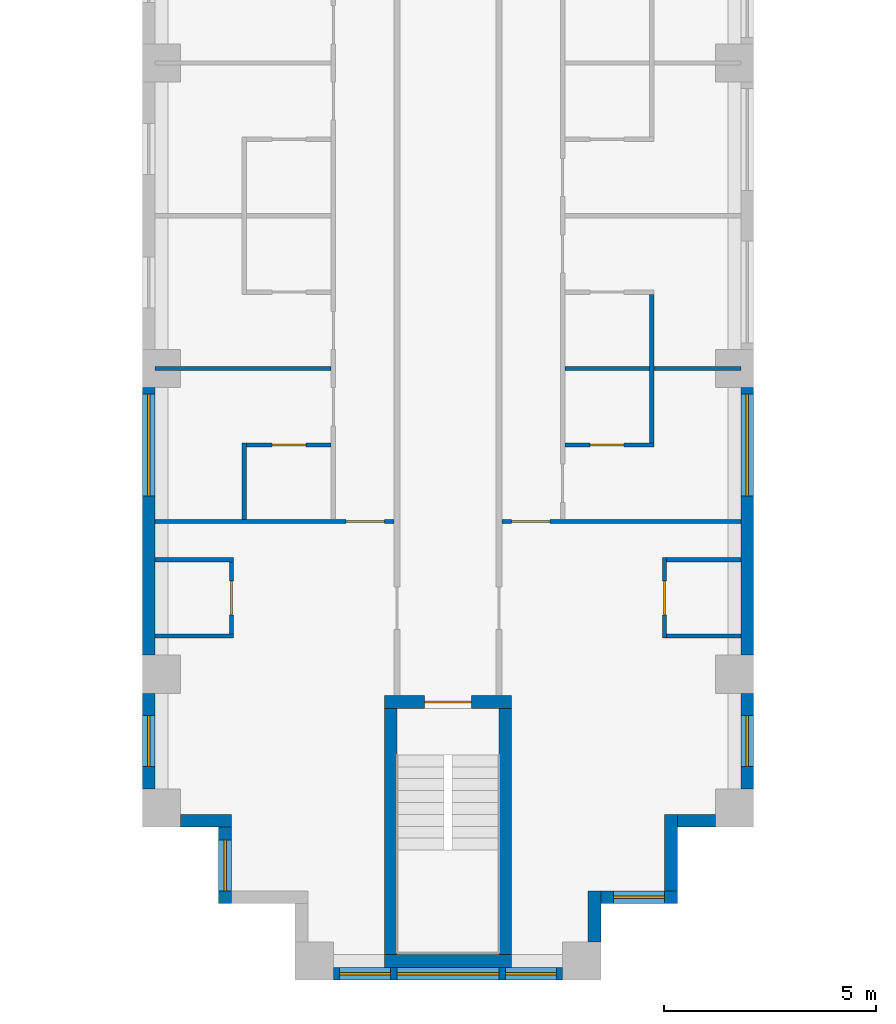
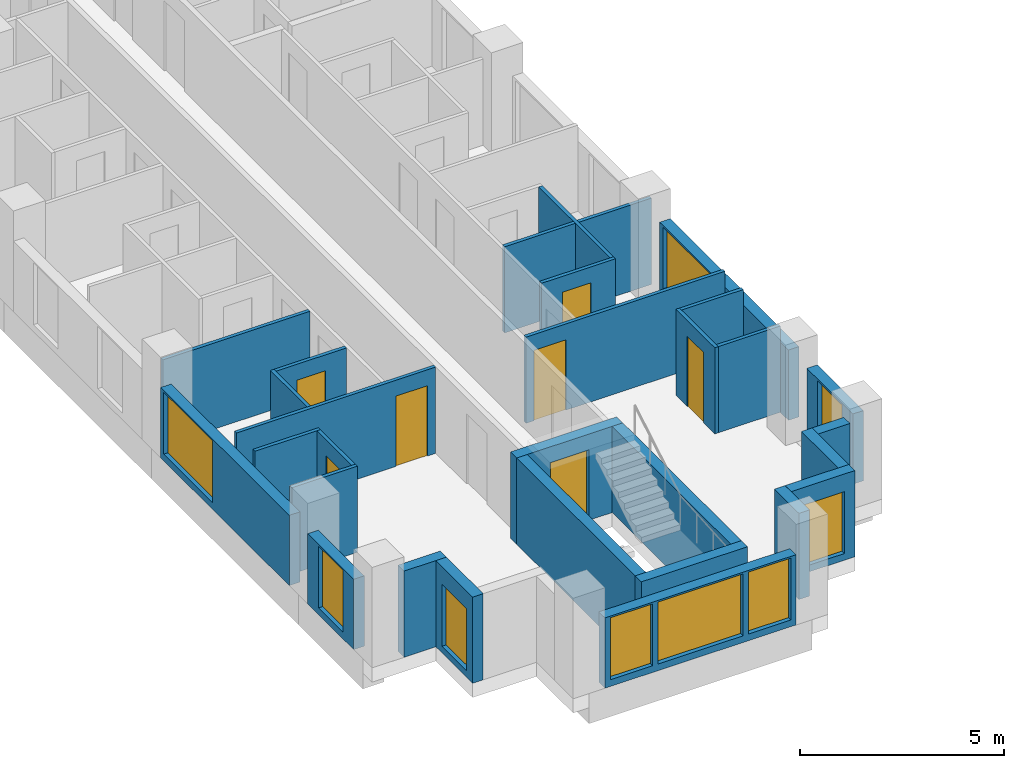
# One storey, part 3 of 14: 29 walls, 9 windows, 7 doors, 16 openings.
"""IFC4 building model written with IfcOpenShell, lengths in metres."""

import ifcopenshell
import ifcopenshell.guid

model = None  # the IFC model being written
_history = None  # IfcOwnerHistory: only IFC2X3 demands one
_inside = {}  # id of a spatial element -> (the spatial element, [elements in it])
_under = {}  # id of a project, library or spatial element -> (it, [spatial elements below it])
_declared = {}  # id of a project -> (the project, [libraries it declares])
_typed = {}  # id of a type object -> (the type object, [elements of that type])
_made_of = {}  # id of a material, layer set ... -> (it, [elements and type objects made of it])


def new_model(schema):
    """Start an empty IFC model of exactly this schema.

    Asked for "IFC4X3", IfcOpenShell would pick the latest addendum, in which some entities
    have other attributes; the version numbers below select the first issue.
    IFC2X3 requires an IfcOwnerHistory on every rooted entity: one is made here for all.
    """
    global model, _history
    if schema == "IFC4X3":
        model = ifcopenshell.file(schema_version=(4, 3, 0, 0))
    else:
        model = ifcopenshell.file(schema=schema)
    _inside.clear()
    _under.clear()
    _declared.clear()
    _typed.clear()
    _made_of.clear()
    _history = None
    if model.schema == "IFC2X3":
        org = make("IfcOrganization", Name="unknown")
        user = make(
            "IfcPersonAndOrganization",
            ThePerson=make("IfcPerson", FamilyName="unknown"),
            TheOrganization=org,
        )
        app = make(
            "IfcApplication",
            ApplicationDeveloper=org,
            Version="unknown",
            ApplicationFullName="unknown",
            ApplicationIdentifier="unknown",
        )
        _history = make(
            "IfcOwnerHistory",
            OwningUser=user,
            OwningApplication=app,
            ChangeAction="ADDED",
            CreationDate=0,
        )
    return model


def make(cls, **values):
    """One entity of the class cls with the attributes given. An attribute that is None is left unset."""
    return model.create_entity(
        cls, **{name: value for name, value in values.items() if value is not None}
    )


def rooted(cls, **values):
    """An entity with a GlobalId (a new one), such as an element, a storey or a relation."""
    return make(cls, GlobalId=ifcopenshell.guid.new(), OwnerHistory=_history, **values)


def si_unit(unit_type, name, prefix=None):
    """IfcSIUnit, for example si_unit("LENGTHUNIT", "METRE", prefix="MILLI")."""
    return make("IfcSIUnit", UnitType=unit_type, Prefix=prefix, Name=name)


def assignment(units):
    """IfcUnitAssignment: the units of a project."""
    return None if units is None else make("IfcUnitAssignment", Units=units)


def point(xyz):
    """IfcCartesianPoint."""
    return None if xyz is None else make("IfcCartesianPoint", Coordinates=xyz)


def direction(xyz):
    """IfcDirection."""
    return None if xyz is None else make("IfcDirection", DirectionRatios=xyz)


def frame(location, z_axis=None, x_axis=None):
    """IfcAxis2Placement3D, a coordinate frame: its origin and axes. An axis left out is left unset."""
    return make(
        "IfcAxis2Placement3D",
        Location=point(location),
        Axis=direction(z_axis),
        RefDirection=direction(x_axis),
    )


def frame_2d(location, x_axis=None):
    """IfcAxis2Placement2D, a coordinate frame in the plane: its origin and x axis."""
    return make(
        "IfcAxis2Placement2D", Location=point(location), RefDirection=direction(x_axis)
    )


def origin():
    """The frame at (0, 0, 0) with its axes left unset."""
    return frame((0.0, 0.0, 0.0))


def place(relative_to, where):
    """IfcLocalPlacement: puts the frame where relative to a parent placement (None: the world)."""
    return make(
        "IfcLocalPlacement", PlacementRelTo=relative_to, RelativePlacement=where
    )


def context(
    kind, dimensions, precision=None, world=None, true_north=None, identifier=None
):
    """IfcGeometricRepresentationContext, for example the 3D "Model" context."""
    return make(
        "IfcGeometricRepresentationContext",
        ContextIdentifier=identifier,
        ContextType=kind,
        CoordinateSpaceDimension=dimensions,
        Precision=precision,
        WorldCoordinateSystem=world,
        TrueNorth=true_north,
    )


def subcontext(parent, identifier, kind, view, scale=None):
    """IfcGeometricRepresentationSubContext, for example "Body" below "Model"."""
    return make(
        "IfcGeometricRepresentationSubContext",
        ContextIdentifier=identifier,
        ContextType=kind,
        ParentContext=parent,
        TargetScale=scale,
        TargetView=view,
    )


def project(units=None, contexts=None):
    """IfcProject with its units and contexts."""
    return rooted(
        "IfcProject",
        Name="project",
        RepresentationContexts=contexts,
        UnitsInContext=assignment(units),
    )


def spatial(cls, under=None, at=None, **own):
    """A site, building, storey or space (cls), placed at a placement, below another one or the project."""
    s = rooted(cls, ObjectPlacement=at, **own)
    if under is not None:
        _under.setdefault(under.id(), (under, []))[1].append(s)
    return s


def profile(cls, at=None, kind="AREA", **sizes):
    """A parametric profile (cls). Its sizes go by their IFC names, for example OverallWidth=200.0."""
    return make(cls, ProfileType=kind, Position=at, **sizes)


def rectangle(**sizes):
    """IfcRectangleProfileDef."""
    return profile("IfcRectangleProfileDef", **sizes)


def extrude(swept, where, along, depth):
    """IfcExtrudedAreaSolid: the profile swept, set in the frame where, extruded along a direction by depth."""
    return make(
        "IfcExtrudedAreaSolid",
        SweptArea=swept,
        Position=where,
        ExtrudedDirection=direction(along),
        Depth=depth,
    )


def shape(context_of_items, identifier, shape_type, items):
    """IfcShapeRepresentation: the items that make up one representation, for example the "Body"."""
    return make(
        "IfcShapeRepresentation",
        ContextOfItems=context_of_items,
        RepresentationIdentifier=identifier,
        RepresentationType=shape_type,
        Items=items,
    )


def material(Name=None, Category=None):
    """IfcMaterial."""
    return make("IfcMaterial", Name=Name, Category=Category)


def layer(
    of_material, thickness, ventilated=None, Name=None, Category=None, Priority=None
):
    """IfcMaterialLayer: one layer of a wall or slab, of a material (None: an air gap)."""
    return make(
        "IfcMaterialLayer",
        Material=of_material,
        LayerThickness=thickness,
        IsVentilated=ventilated,
        Name=Name,
        Category=Category,
        Priority=Priority,
    )


def layer_set(layers, Name=None):
    """IfcMaterialLayerSet."""
    return make("IfcMaterialLayerSet", MaterialLayers=layers, LayerSetName=Name)


def made_of(thing, what):
    """Note that an element or type object is made of a material, layer set ...; save() writes the relation."""
    if what is not None:
        _made_of.setdefault(what.id(), (what, []))[1].append(thing)
    return thing


def type_object(cls, material=None, **own):
    """A type object (cls), such as IfcWallType, which elements share."""
    return made_of(rooted(cls, **own), material)


def element(
    cls,
    number,
    at=None,
    inside=None,
    cuts=None,
    type_object=None,
    material=None,
    context=None,
    identifier="Body",
    shape_type=None,
    held_by="IfcProductDefinitionShape",
    body=None,
    shapes=None,
    **own,
):
    """One element of the class cls, such as IfcWall. Its Tag is "e" and its number.

    at: its placement. inside: the storey or other place that contains it. cuts: it is an
    opening in that element (IfcRelVoidsElement). A single representation is given by context,
    identifier, shape_type and body (its items); several are given by shapes. held_by: the class
    of the entity that holds the representations. save() writes the other relations.
    """
    e = rooted(cls, Tag="e%d" % number, ObjectPlacement=at, **own)
    if body is not None:
        shapes = [shape(context, identifier, shape_type, body)]
    if shapes is not None:
        e.Representation = make(held_by, Representations=shapes)
    if inside is not None:
        _inside.setdefault(inside.id(), (inside, []))[1].append(e)
    if cuts is not None:
        rooted(
            "IfcRelVoidsElement", RelatingBuildingElement=cuts, RelatedOpeningElement=e
        )
    if type_object is not None:
        _typed.setdefault(type_object.id(), (type_object, []))[1].append(e)
    return made_of(e, material)


def fill(opening, filler):
    """IfcRelFillsElement: the door or window that sits in an opening."""
    return rooted(
        "IfcRelFillsElement",
        RelatingOpeningElement=opening,
        RelatedBuildingElement=filler,
    )


def aggregate(whole, parts):
    """IfcRelAggregates: a whole, such as a stair, and the parts it consists of."""
    return rooted("IfcRelAggregates", RelatingObject=whole, RelatedObjects=parts)


def save(model, path):
    """Write the relations noted so far, then the file.

    IfcRelAggregates (storeys below a building ...), IfcRelContainedInSpatialStructure (elements
    in a storey), IfcRelDefinesByType, IfcRelAssociatesMaterial and IfcRelDeclares: one each for
    every whole, place, type object, material and project.
    """
    for whole, parts in _under.values():
        aggregate(whole, parts)
    for where, things in _inside.values():
        rooted(
            "IfcRelContainedInSpatialStructure",
            RelatedElements=things,
            RelatingStructure=where,
        )
    for kind, things in _typed.values():
        rooted("IfcRelDefinesByType", RelatedObjects=things, RelatingType=kind)
    for what, things in _made_of.values():
        rooted("IfcRelAssociatesMaterial", RelatedObjects=things, RelatingMaterial=what)
    for by, libraries in _declared.values():
        rooted("IfcRelDeclares", RelatingContext=by, RelatedDefinitions=libraries)
    model.write(path)


model = new_model("IFC4")

# Units and contexts
model_context = context("Model", 3, precision=1e-05, world=origin(), true_north=direction((0.0, 1.0)))
body_context = subcontext(model_context, "Body", "Model", "MODEL_VIEW")
ifc_project = project(units=[si_unit("LENGTHUNIT", "METRE"), si_unit("AREAUNIT", "SQUARE_METRE"), si_unit("VOLUMEUNIT", "CUBIC_METRE"), si_unit("PLANEANGLEUNIT", "RADIAN"), si_unit("MASSUNIT", "GRAM", prefix="KILO")], contexts=[model_context])

# Site, building, storey
site_placement = place(None, origin())
site = spatial("IfcSite", under=ifc_project, at=site_placement, CompositionType="ELEMENT")
building_placement = place(site_placement, origin())
building = spatial("IfcBuilding", under=site, at=building_placement, Name="Fustian Cross Tower", CompositionType="ELEMENT")
storey_placement = place(building_placement, frame((0.0, 0.0, 72.89990234375)))
storey = spatial("IfcBuildingStorey", under=building, at=storey_placement, Name="L22", CompositionType="ELEMENT", Elevation=72.89990234375)

# Walls
ifc_material_1 = material(Name="Plasterboard on steel stud", Category="steel")
ifc_layer_1 = layer(ifc_material_1, 0.10009765625)
ifc_layer_set_1 = layer_set([ifc_layer_1], Name="Plasterboard on steel stud")
wall_type_1 = type_object("IfcWallType", Name="PARTITION 100 STUD", PredefinedType="PARTITIONING", material=ifc_layer_set_1)
for number, where, z_axis, x_axis, name in (
    (1, (-6.89990234375, -35.10009765625, 0.0), (0.0, 0.0, 1.0), (1.0, 0.0, 0.0), "Partition 18"),
    (2, (-6.89990234375, -33.300048828125, 0.0), (0.0, 0.0, 1.0), (1.0, 0.0, 0.0), "Partition 19"),
):
    element("IfcWall", number, at=place(storey_placement, frame(where, z_axis=z_axis, x_axis=x_axis)), inside=storey, type_object=wall_type_1, Name=name, PredefinedType="PARTITIONING", context=body_context, shape_type="SweptSolid", body=[
        extrude(rectangle(XDim=1.849853515625, YDim=0.10009765625, at=frame_2d((0.9248046875, 0.0))), origin(), (0.0, 0.0, 1.0), 2.5751953125),
    ])

# Wall, opening, door
wall_1_placement = place(storey_placement, frame((-6.89990234375, -32.39990234375, 0.0), z_axis=(0.0, 0.0, 1.0), x_axis=(1.0, 0.0, 0.0)))
wall_1 = element("IfcWall", 3, at=wall_1_placement, inside=storey, type_object=wall_type_1, Name="Partition 20", PredefinedType="PARTITIONING", context=body_context, shape_type="SweptSolid", body=[
    extrude(rectangle(XDim=5.625, YDim=0.10009765625, at=frame_2d((2.8125, 0.0))), origin(), (0.0, 0.0, 1.0), 2.5751953125),
])
opening_1_placement = place(wall_1_placement, frame((4.5, 0.0, 0.0)))
opening_1 = element("IfcOpeningElement", 4, at=opening_1_placement, cuts=wall_1, Name="Opening D11060", PredefinedType="OPENING", context=body_context, shape_type="SweptSolid", body=[
    extrude(rectangle(XDim=0.89990234375, YDim=2.10009765625, at=frame_2d((0.449951171875, 1.050048828125))), frame((0.0, 0.06005859375, 0.0), z_axis=(0.0, -1.0, 0.0), x_axis=(1.0, 0.0, 0.0)), (0.0, 0.0, 1.0), 0.1201171875),
])
ifc_material_2 = material(Name="Painted timber", Category="wood")
door_type_1 = type_object("IfcDoorType", Name="SWING DOOR 900", OperationType="SINGLE_SWING_LEFT", PredefinedType="DOOR", material=ifc_material_2)
door_1_placement = place(opening_1_placement, origin())
door_1 = element("IfcDoor", 5, at=door_1_placement, inside=storey, type_object=door_type_1, Name="Door D11060", OperationType="SINGLE_SWING_LEFT", OverallHeight=2.10009765625, OverallWidth=0.89990234375, PredefinedType="DOOR", context=body_context, shape_type="SweptSolid", body=[
    extrude(rectangle(XDim=0.89990234375, YDim=2.10009765625, at=frame_2d((0.449951171875, 1.050048828125))), frame((0.0, 0.02490234375, 0.0), z_axis=(0.0, -1.0, 0.0), x_axis=(1.0, 0.0, 0.0)), (0.0, 0.0, 1.0), 0.050048828125),
])
fill(opening_1, door_1)

# Wall
wall_2_placement = place(storey_placement, frame((-6.89990234375, -28.800048828125, 0.0), z_axis=(0.0, 0.0, 1.0), x_axis=(1.0, 0.0, 0.0)))
element("IfcWall", 6, at=wall_2_placement, inside=storey, type_object=wall_type_1, Name="Partition 21", PredefinedType="PARTITIONING", context=body_context, shape_type="SweptSolid", body=[
    extrude(rectangle(XDim=4.14990234375, YDim=0.10009765625, at=frame_2d((2.074951171875, 0.0))), origin(), (0.0, 0.0, 1.0), 2.5751953125),
])

# Wall, opening, door
wall_3_placement = place(storey_placement, frame((-5.10009765625, -35.050048828125, 0.0), z_axis=(0.0, 0.0, 1.0), x_axis=(0.0, 1.0, 0.0)))
wall_3 = element("IfcWall", 7, at=wall_3_placement, inside=storey, type_object=wall_type_1, Name="Partition 28", PredefinedType="PARTITIONING", context=body_context, shape_type="SweptSolid", body=[
    extrude(rectangle(XDim=1.699951171875, YDim=0.10009765625, at=frame_2d((0.85009765625, 0.0))), origin(), (0.0, 0.0, 1.0), 2.5751953125),
])
opening_2_placement = place(wall_3_placement, frame((0.449951171875, 0.0, 0.0)))
opening_2 = element("IfcOpeningElement", 8, at=opening_2_placement, cuts=wall_3, Name="Opening D11053", PredefinedType="OPENING", context=body_context, shape_type="SweptSolid", body=[
    extrude(rectangle(XDim=0.800048828125, YDim=2.10009765625, at=frame_2d((0.39990234375, 1.050048828125))), frame((0.0, 0.06005859375, 0.0), z_axis=(0.0, -1.0, 0.0), x_axis=(1.0, 0.0, 0.0)), (0.0, 0.0, 1.0), 0.1201171875),
])
ifc_material_3 = material(Name="Painted timber", Category="wood")
door_type_2 = type_object("IfcDoorType", Name="SWING DOOR 800", OperationType="SINGLE_SWING_LEFT", PredefinedType="DOOR", material=ifc_material_3)
door_2_placement = place(opening_2_placement, origin())
door_2 = element("IfcDoor", 9, at=door_2_placement, inside=storey, type_object=door_type_2, Name="Door D11053", OperationType="SINGLE_SWING_RIGHT", OverallHeight=2.10009765625, OverallWidth=0.800048828125, PredefinedType="DOOR", context=body_context, shape_type="SweptSolid", body=[
    extrude(rectangle(XDim=0.800048828125, YDim=2.10009765625, at=frame_2d((0.39990234375, 1.050048828125))), frame((0.0, 0.02490234375, 0.0), z_axis=(0.0, -1.0, 0.0), x_axis=(1.0, 0.0, 0.0)), (0.0, 0.0, 1.0), 0.050048828125),
])
fill(opening_2, door_2)

# Wall
wall_4_placement = place(storey_placement, frame((-4.800048828125, -32.35009765625, 0.0), z_axis=(0.0, 0.0, 1.0), x_axis=(0.0, 1.0, 0.0)))
element("IfcWall", 10, at=wall_4_placement, inside=storey, type_object=wall_type_1, Name="Partition 29", PredefinedType="PARTITIONING", context=body_context, shape_type="SweptSolid", body=[
    extrude(rectangle(XDim=1.800048828125, YDim=0.10009765625, at=frame_2d((0.89990234375, 0.0))), origin(), (0.0, 0.0, 1.0), 2.5751953125),
])

# Wall, opening, door
wall_5_placement = place(storey_placement, frame((-4.75, -30.60009765625, 0.0), z_axis=(0.0, 0.0, 1.0), x_axis=(1.0, 0.0, 0.0)))
wall_5 = element("IfcWall", 11, at=wall_5_placement, inside=storey, type_object=wall_type_1, Name="Partition 30", PredefinedType="PARTITIONING", context=body_context, shape_type="SweptSolid", body=[
    extrude(rectangle(XDim=2.0, YDim=0.10009765625, at=frame_2d((1.0, 0.0))), origin(), (0.0, 0.0, 1.0), 2.5751953125),
])
opening_3_placement = place(wall_5_placement, frame((0.60009765625, 0.0, 0.0)))
opening_3 = element("IfcOpeningElement", 12, at=opening_3_placement, cuts=wall_5, Name="Opening D11065", PredefinedType="OPENING", context=body_context, shape_type="SweptSolid", body=[
    extrude(rectangle(XDim=0.800048828125, YDim=2.10009765625, at=frame_2d((0.39990234375, 1.050048828125))), frame((0.0, 0.06005859375, 0.0), z_axis=(0.0, -1.0, 0.0), x_axis=(1.0, 0.0, 0.0)), (0.0, 0.0, 1.0), 0.1201171875),
])
door_3_placement = place(opening_3_placement, frame((0.800048828125, 0.0, 0.0), z_axis=(0.0, 0.0, 1.0), x_axis=(-1.0, 0.0, 0.0)))
door_3 = element("IfcDoor", 13, at=door_3_placement, inside=storey, type_object=door_type_2, Name="Door D11065", OperationType="SINGLE_SWING_RIGHT", OverallHeight=2.10009765625, OverallWidth=0.800048828125, PredefinedType="DOOR", context=body_context, shape_type="SweptSolid", body=[
    extrude(rectangle(XDim=0.800048828125, YDim=2.10009765625, at=frame_2d((0.39990234375, 1.050048828125))), frame((0.0, 0.02490234375, 0.0), z_axis=(0.0, -1.0, 0.0), x_axis=(1.0, 0.0, 0.0)), (0.0, 0.0, 1.0), 0.050048828125),
])
fill(opening_3, door_3)

wall_6_placement = place(storey_placement, frame((1.27490234375, -32.39990234375, 0.0), z_axis=(0.0, 0.0, 1.0), x_axis=(1.0, 0.0, 0.0)))
wall_6 = element("IfcWall", 14, at=wall_6_placement, inside=storey, type_object=wall_type_1, Name="Partition 53", PredefinedType="PARTITIONING", context=body_context, shape_type="SweptSolid", body=[
    extrude(rectangle(XDim=5.625, YDim=0.10009765625, at=frame_2d((2.8125, 0.0))), origin(), (0.0, 0.0, 1.0), 2.5751953125),
])
opening_4_placement = place(wall_6_placement, frame((0.22509765625, 0.0, 0.0)))
opening_4 = element("IfcOpeningElement", 15, at=opening_4_placement, cuts=wall_6, Name="Opening D11042", PredefinedType="OPENING", context=body_context, shape_type="SweptSolid", body=[
    extrude(rectangle(XDim=0.89990234375, YDim=2.10009765625, at=frame_2d((0.449951171875, 1.050048828125))), frame((0.0, 0.06005859375, 0.0), z_axis=(0.0, -1.0, 0.0), x_axis=(1.0, 0.0, 0.0)), (0.0, 0.0, 1.0), 0.1201171875),
])
door_4_placement = place(opening_4_placement, origin())
door_4 = element("IfcDoor", 16, at=door_4_placement, inside=storey, type_object=door_type_1, Name="Door D11042", OperationType="SINGLE_SWING_LEFT", OverallHeight=2.10009765625, OverallWidth=0.89990234375, PredefinedType="DOOR", context=body_context, shape_type="SweptSolid", body=[
    extrude(rectangle(XDim=0.89990234375, YDim=2.10009765625, at=frame_2d((0.449951171875, 1.050048828125))), frame((0.0, 0.02490234375, 0.0), z_axis=(0.0, -1.0, 0.0), x_axis=(1.0, 0.0, 0.0)), (0.0, 0.0, 1.0), 0.050048828125),
])
fill(opening_4, door_4)

wall_7_placement = place(storey_placement, frame((2.75, -30.60009765625, 0.0), z_axis=(0.0, 0.0, 1.0), x_axis=(1.0, 0.0, 0.0)))
wall_7 = element("IfcWall", 17, at=wall_7_placement, inside=storey, type_object=wall_type_1, Name="Partition 68", PredefinedType="PARTITIONING", context=body_context, shape_type="SweptSolid", body=[
    extrude(rectangle(XDim=2.10009765625, YDim=0.10009765625, at=frame_2d((1.050048828125, 0.0))), origin(), (0.0, 0.0, 1.0), 2.5751953125),
])
opening_5_placement = place(wall_7_placement, frame((0.60009765625, 0.0, 0.0)))
opening_5 = element("IfcOpeningElement", 18, at=opening_5_placement, cuts=wall_7, Name="Opening D11050", PredefinedType="OPENING", context=body_context, shape_type="SweptSolid", body=[
    extrude(rectangle(XDim=0.800048828125, YDim=2.10009765625, at=frame_2d((0.39990234375, 1.050048828125))), frame((0.0, 0.06005859375, 0.0), z_axis=(0.0, -1.0, 0.0), x_axis=(1.0, 0.0, 0.0)), (0.0, 0.0, 1.0), 0.1201171875),
])
door_5_placement = place(opening_5_placement, origin())
door_5 = element("IfcDoor", 19, at=door_5_placement, inside=storey, type_object=door_type_2, Name="Door D11050", OperationType="SINGLE_SWING_LEFT", OverallHeight=2.10009765625, OverallWidth=0.800048828125, PredefinedType="DOOR", context=body_context, shape_type="SweptSolid", body=[
    extrude(rectangle(XDim=0.800048828125, YDim=2.10009765625, at=frame_2d((0.39990234375, 1.050048828125))), frame((0.0, 0.02490234375, 0.0), z_axis=(0.0, -1.0, 0.0), x_axis=(1.0, 0.0, 0.0)), (0.0, 0.0, 1.0), 0.050048828125),
])
fill(opening_5, door_5)

# Walls
wall_8_placement = place(storey_placement, frame((2.75, -28.800048828125, 0.0), z_axis=(0.0, 0.0, 1.0), x_axis=(1.0, 0.0, 0.0)))
element("IfcWall", 20, at=wall_8_placement, inside=storey, type_object=wall_type_1, Name="Partition 69", PredefinedType="PARTITIONING", context=body_context, shape_type="SweptSolid", body=[
    extrude(rectangle(XDim=4.14990234375, YDim=0.10009765625, at=frame_2d((2.074951171875, 0.0))), origin(), (0.0, 0.0, 1.0), 2.5751953125),
])
wall_9_placement = place(storey_placement, frame((4.800048828125, -30.550048828125, 0.0), z_axis=(0.0, 0.0, 1.0), x_axis=(0.0, 1.0, 0.0)))
element("IfcWall", 21, at=wall_9_placement, inside=storey, type_object=wall_type_1, Name="Partition 78", PredefinedType="PARTITIONING", context=body_context, shape_type="SweptSolid", body=[
    extrude(rectangle(XDim=3.5, YDim=0.10009765625, at=frame_2d((1.75, 0.0))), origin(), (0.0, 0.0, 1.0), 2.5751953125),
])

# Wall, opening, door
wall_10_placement = place(storey_placement, frame((5.10009765625, -35.14990234375, 0.0), z_axis=(0.0, 0.0, 1.0), x_axis=(0.0, 1.0, 0.0)))
wall_10 = element("IfcWall", 22, at=wall_10_placement, inside=storey, type_object=wall_type_1, Name="Partition 80", PredefinedType="PARTITIONING", context=body_context, shape_type="SweptSolid", body=[
    extrude(rectangle(XDim=1.89990234375, YDim=0.10009765625, at=frame_2d((0.949951171875, 0.0))), origin(), (0.0, 0.0, 1.0), 2.5751953125),
])
opening_6_placement = place(wall_10_placement, frame((0.550048828125, 0.0, 0.0)))
opening_6 = element("IfcOpeningElement", 23, at=opening_6_placement, cuts=wall_10, Name="Opening D11040", PredefinedType="OPENING", context=body_context, shape_type="SweptSolid", body=[
    extrude(rectangle(XDim=0.800048828125, YDim=2.10009765625, at=frame_2d((0.39990234375, 1.050048828125))), frame((0.0, 0.06005859375, 0.0), z_axis=(0.0, -1.0, 0.0), x_axis=(1.0, 0.0, 0.0)), (0.0, 0.0, 1.0), 0.1201171875),
])
door_6_placement = place(opening_6_placement, frame((0.800048828125, 0.0, 0.0), z_axis=(0.0, 0.0, 1.0), x_axis=(-1.0, 0.0, 0.0)))
door_6 = element("IfcDoor", 24, at=door_6_placement, inside=storey, type_object=door_type_2, Name="Door D11040", OperationType="SINGLE_SWING_LEFT", OverallHeight=2.10009765625, OverallWidth=0.800048828125, PredefinedType="DOOR", context=body_context, shape_type="SweptSolid", body=[
    extrude(rectangle(XDim=0.800048828125, YDim=2.10009765625, at=frame_2d((0.39990234375, 1.050048828125))), frame((0.0, 0.02490234375, 0.0), z_axis=(0.0, -1.0, 0.0), x_axis=(1.0, 0.0, 0.0)), (0.0, 0.0, 1.0), 0.050048828125),
])
fill(opening_6, door_6)

# Walls
for number, where, z_axis, x_axis, name in (
    (25, (5.14990234375, -35.10009765625, 0.0), (0.0, 0.0, 1.0), (1.0, 0.0, 0.0), "Partition 81"),
    (26, (5.14990234375, -33.300048828125, 0.0), (0.0, 0.0, 1.0), (1.0, 0.0, 0.0), "Partition 82"),
):
    element("IfcWall", number, at=place(storey_placement, frame(where, z_axis=z_axis, x_axis=x_axis)), inside=storey, type_object=wall_type_1, Name=name, PredefinedType="PARTITIONING", context=body_context, shape_type="SweptSolid", body=[
        extrude(rectangle(XDim=1.75, YDim=0.10009765625, at=frame_2d((0.875, 0.0))), origin(), (0.0, 0.0, 1.0), 2.5751953125),
    ])

# Wall, opening, door
ifc_material_4 = material(Name="Concrete C50/60", Category="concrete")
ifc_layer_2 = layer(ifc_material_4, 0.300048828125)
ifc_layer_set_2 = layer_set([ifc_layer_2], Name="Concrete C50/60")
wall_type_2 = type_object("IfcWallType", Name="STAIR ENCLOSURE WALL 300 C50/60", PredefinedType="SHEAR", material=ifc_layer_set_2)
wall_11_placement = place(storey_placement, frame((-1.5, -36.64990234375, 0.0), z_axis=(0.0, 0.0, 1.0), x_axis=(1.0, 0.0, 0.0)))
wall_11 = element("IfcWall", 27, at=wall_11_placement, inside=storey, type_object=wall_type_2, Name="Stair enclosure wall", PredefinedType="SHEAR", context=body_context, shape_type="SweptSolid", body=[
    extrude(rectangle(XDim=3.0, YDim=0.300048828125, at=frame_2d((1.5, 0.0))), origin(), (0.0, 0.0, 1.0), 2.5751953125),
])
opening_7_placement = place(wall_11_placement, frame((0.949951171875, 0.0, 0.0)))
opening_7 = element("IfcOpeningElement", 28, at=opening_7_placement, cuts=wall_11, Name="Opening CD-09-29", PredefinedType="OPENING", context=body_context, shape_type="SweptSolid", body=[
    extrude(rectangle(XDim=1.10009765625, YDim=2.10009765625, at=frame_2d((0.550048828125, 1.050048828125))), frame((0.0, 0.159912109375, 0.0), z_axis=(0.0, -1.0, 0.0), x_axis=(1.0, 0.0, 0.0)), (0.0, 0.0, 1.0), 0.320068359375),
])
ifc_material_5 = material(Name="Steel", Category="steel")
door_type_3 = type_object("IfcDoorType", Name="FIRE DOOR FD60S 1100X2100", OperationType="SINGLE_SWING_LEFT", PredefinedType="DOOR", material=ifc_material_5)
door_7_placement = place(opening_7_placement, frame((1.10009765625, 0.0, 0.0), z_axis=(0.0, 0.0, 1.0), x_axis=(-1.0, 0.0, 0.0)))
door_7 = element("IfcDoor", 29, at=door_7_placement, inside=storey, type_object=door_type_3, Name="Core door CD-09-29", OperationType="SINGLE_SWING_RIGHT", OverallHeight=2.10009765625, OverallWidth=1.10009765625, PredefinedType="DOOR", context=body_context, shape_type="SweptSolid", body=[
    extrude(rectangle(XDim=1.10009765625, YDim=2.10009765625, at=frame_2d((0.550048828125, 1.050048828125))), frame((0.0, 0.02490234375, 0.0), z_axis=(0.0, -1.0, 0.0), x_axis=(1.0, 0.0, 0.0)), (0.0, 0.0, 1.0), 0.050048828125),
])
fill(opening_7, door_7)

# Walls
wall_12_placement = place(storey_placement, frame((-1.5, -42.75, 0.0), z_axis=(0.0, 0.0, 1.0), x_axis=(1.0, 0.0, 0.0)))
element("IfcWall", 30, at=wall_12_placement, inside=storey, type_object=wall_type_2, Name="Stair enclosure wall", PredefinedType="SHEAR", context=body_context, shape_type="SweptSolid", body=[
    extrude(rectangle(XDim=3.0, YDim=0.300048828125, at=frame_2d((1.5, 0.0))), origin(), (0.0, 0.0, 1.0), 2.5751953125),
])
for number, where, z_axis, x_axis, name in (
    (31, (-1.35009765625, -36.800048828125, 0.0), (0.0, 0.0, 1.0), (0.0, -1.0, 0.0), "Stair enclosure wall"),
    (32, (1.35009765625, -36.800048828125, 0.0), (0.0, 0.0, 1.0), (0.0, -1.0, 0.0), "Stair enclosure wall"),
):
    element("IfcWall", number, at=place(storey_placement, frame(where, z_axis=z_axis, x_axis=x_axis)), inside=storey, type_object=wall_type_2, Name=name, PredefinedType="SHEAR", context=body_context, shape_type="SweptSolid", body=[
        extrude(rectangle(XDim=5.800048828125, YDim=0.300048828125, at=frame_2d((2.89990234375, 0.0))), origin(), (0.0, 0.0, 1.0), 2.5751953125),
    ])

# Wall, opening, window
ifc_material_6 = material(Name="Dark aluminium cladding on insulated backing wall", Category="aluminium")
ifc_layer_3 = layer(ifc_material_6, 0.300048828125)
ifc_layer_set_3 = layer_set([ifc_layer_3], Name="Dark aluminium cladding on insulated backing wall")
wall_type_3 = type_object("IfcWallType", Name="XW1 EXTERNAL WALL 300", PredefinedType="SOLIDWALL", material=ifc_layer_set_3)
wall_13_placement = place(storey_placement, frame((-7.050048828125, -29.25, 0.0), z_axis=(0.0, 0.0, 1.0), x_axis=(0.0, -1.0, 0.0)))
wall_13 = element("IfcWall", 33, at=wall_13_placement, inside=storey, type_object=wall_type_3, Name="External wall", PredefinedType="SOLIDWALL", context=body_context, shape_type="SweptSolid", body=[
    extrude(rectangle(XDim=6.300048828125, YDim=0.300048828125, at=frame_2d((3.14990234375, 0.0))), origin(), (0.0, 0.0, 1.0), 2.10009765625),
])
opening_8_placement = place(wall_13_placement, frame((0.14990234375, 0.0, 0.199951171875)))
opening_8 = element("IfcOpeningElement", 34, at=opening_8_placement, cuts=wall_13, Name="Opening WN1", PredefinedType="OPENING", context=body_context, shape_type="SweptSolid", body=[
    extrude(rectangle(XDim=2.39990234375, YDim=1.85009765625, at=frame_2d((1.199951171875, 0.925048828125))), frame((0.0, 0.159912109375, 0.0), z_axis=(0.0, -1.0, 0.0), x_axis=(1.0, 0.0, 0.0)), (0.0, 0.0, 1.0), 0.320068359375),
])
ifc_material_7 = material(Name="Dark anodised aluminium and double glazing", Category="aluminium")
window_type_1 = type_object("IfcWindowType", Name="WN1 WINDOW 2400X1850", PartitioningType="SINGLE_PANEL", PredefinedType="WINDOW", material=ifc_material_7)
window_1_placement = place(opening_8_placement, origin())
window_1 = element("IfcWindow", 35, at=window_1_placement, inside=storey, type_object=window_type_1, Name="Window", OverallHeight=1.85009765625, OverallWidth=2.39990234375, PartitioningType="SINGLE_PANEL", PredefinedType="WINDOW", context=body_context, shape_type="SweptSolid", body=[
    extrude(rectangle(XDim=2.39990234375, YDim=1.85009765625, at=frame_2d((1.199951171875, 0.925048828125))), frame((0.0, 0.030029296875, 0.0), z_axis=(0.0, -1.0, 0.0), x_axis=(1.0, 0.0, 0.0)), (0.0, 0.0, 1.0), 0.06005859375),
])
fill(opening_8, window_1)

wall_14_placement = place(storey_placement, frame((-7.050048828125, -36.449951171875, 0.0), z_axis=(0.0, 0.0, 1.0), x_axis=(0.0, -1.0, 0.0)))
wall_14 = element("IfcWall", 36, at=wall_14_placement, inside=storey, type_object=wall_type_3, Name="External wall", PredefinedType="SOLIDWALL", context=body_context, shape_type="SweptSolid", body=[
    extrude(rectangle(XDim=2.25, YDim=0.300048828125, at=frame_2d((1.125, 0.0))), origin(), (0.0, 0.0, 1.0), 2.10009765625),
])
opening_9_placement = place(wall_14_placement, frame((0.52490234375, 0.0, 0.199951171875)))
opening_9 = element("IfcOpeningElement", 37, at=opening_9_placement, cuts=wall_14, Name="Opening WN3", PredefinedType="OPENING", context=body_context, shape_type="SweptSolid", body=[
    extrude(rectangle(XDim=1.199951171875, YDim=1.85009765625, at=frame_2d((0.60009765625, 0.925048828125))), frame((0.0, 0.159912109375, 0.0), z_axis=(0.0, -1.0, 0.0), x_axis=(1.0, 0.0, 0.0)), (0.0, 0.0, 1.0), 0.320068359375),
])
ifc_material_8 = material(Name="Dark anodised aluminium and double glazing", Category="aluminium")
window_type_2 = type_object("IfcWindowType", Name="WN3 WINDOW 1200X1850", PartitioningType="SINGLE_PANEL", PredefinedType="WINDOW", material=ifc_material_8)
window_2_placement = place(opening_9_placement, origin())
window_2 = element("IfcWindow", 38, at=window_2_placement, inside=storey, type_object=window_type_2, Name="Window", OverallHeight=1.85009765625, OverallWidth=1.199951171875, PartitioningType="SINGLE_PANEL", PredefinedType="WINDOW", context=body_context, shape_type="SweptSolid", body=[
    extrude(rectangle(XDim=1.199951171875, YDim=1.85009765625, at=frame_2d((0.60009765625, 0.925048828125))), frame((0.0, 0.030029296875, 0.0), z_axis=(0.0, -1.0, 0.0), x_axis=(1.0, 0.0, 0.0)), (0.0, 0.0, 1.0), 0.06005859375),
])
fill(opening_9, window_2)

# Wall
wall_15_placement = place(storey_placement, frame((-6.300048828125, -39.449951171875, 0.0), z_axis=(0.0, 0.0, 1.0), x_axis=(1.0, 0.0, 0.0)))
element("IfcWall", 39, at=wall_15_placement, inside=storey, type_object=wall_type_3, Name="External wall", PredefinedType="SOLIDWALL", context=body_context, shape_type="SweptSolid", body=[
    extrude(rectangle(XDim=1.199951171875, YDim=0.300048828125, at=frame_2d((0.60009765625, 0.0))), origin(), (0.0, 0.0, 1.0), 2.5751953125),
])

# Wall, opening, window
wall_16_placement = place(storey_placement, frame((-5.25, -39.60009765625, 0.0), z_axis=(0.0, 0.0, 1.0), x_axis=(0.0, -1.0, 0.0)))
wall_16 = element("IfcWall", 40, at=wall_16_placement, inside=storey, type_object=wall_type_3, Name="External wall", PredefinedType="SOLIDWALL", context=body_context, shape_type="SweptSolid", body=[
    extrude(rectangle(XDim=1.7998046875, YDim=0.300048828125, at=frame_2d((0.89990234375, 0.0))), origin(), (0.0, 0.0, 1.0), 2.5751953125),
])
opening_10_placement = place(wall_16_placement, frame((0.300048828125, 0.0, 0.199951171875)))
opening_10 = element("IfcOpeningElement", 41, at=opening_10_placement, cuts=wall_16, Name="Opening WN3", PredefinedType="OPENING", context=body_context, shape_type="SweptSolid", body=[
    extrude(rectangle(XDim=1.199951171875, YDim=1.85009765625, at=frame_2d((0.60009765625, 0.925048828125))), frame((0.0, 0.159912109375, 0.0), z_axis=(0.0, -1.0, 0.0), x_axis=(1.0, 0.0, 0.0)), (0.0, 0.0, 1.0), 0.320068359375),
])
window_3_placement = place(opening_10_placement, origin())
window_3 = element("IfcWindow", 42, at=window_3_placement, inside=storey, type_object=window_type_2, Name="Window", OverallHeight=1.85009765625, OverallWidth=1.199951171875, PartitioningType="SINGLE_PANEL", PredefinedType="WINDOW", context=body_context, shape_type="SweptSolid", body=[
    extrude(rectangle(XDim=1.199951171875, YDim=1.85009765625, at=frame_2d((0.60009765625, 0.925048828125))), frame((0.0, 0.030029296875, 0.0), z_axis=(0.0, -1.0, 0.0), x_axis=(1.0, 0.0, 0.0)), (0.0, 0.0, 1.0), 0.06005859375),
])
fill(opening_10, window_3)

# Wall, openings, windows
wall_17_placement = place(storey_placement, frame((-2.699951171875, -43.050048828125, 0.0), z_axis=(0.0, 0.0, 1.0), x_axis=(1.0, 0.0, 0.0)))
wall_17 = element("IfcWall", 43, at=wall_17_placement, inside=storey, type_object=wall_type_3, Name="External wall", PredefinedType="SOLIDWALL", context=body_context, shape_type="SweptSolid", body=[
    extrude(rectangle(XDim=5.39990234375, YDim=0.300048828125, at=frame_2d((2.699951171875, 0.0))), origin(), (0.0, 0.0, 1.0), 2.10009765625),
])
opening_11_placement = place(wall_17_placement, frame((1.5, 0.0, 0.199951171875)))
opening_11 = element("IfcOpeningElement", 44, at=opening_11_placement, cuts=wall_17, Name="Opening WN1", PredefinedType="OPENING", context=body_context, shape_type="SweptSolid", body=[
    extrude(rectangle(XDim=2.39990234375, YDim=1.85009765625, at=frame_2d((1.199951171875, 0.925048828125))), frame((0.0, 0.159912109375, 0.0), z_axis=(0.0, -1.0, 0.0), x_axis=(1.0, 0.0, 0.0)), (0.0, 0.0, 1.0), 0.320068359375),
])
opening_12_placement = place(wall_17_placement, frame((0.14990234375, 0.0, 0.199951171875)))
opening_12 = element("IfcOpeningElement", 45, at=opening_12_placement, cuts=wall_17, Name="Opening WN3", PredefinedType="OPENING", context=body_context, shape_type="SweptSolid", body=[
    extrude(rectangle(XDim=1.199951171875, YDim=1.85009765625, at=frame_2d((0.60009765625, 0.925048828125))), frame((0.0, 0.159912109375, 0.0), z_axis=(0.0, -1.0, 0.0), x_axis=(1.0, 0.0, 0.0)), (0.0, 0.0, 1.0), 0.320068359375),
])
opening_13_placement = place(wall_17_placement, frame((4.050048828125, 0.0, 0.199951171875)))
opening_13 = element("IfcOpeningElement", 46, at=opening_13_placement, cuts=wall_17, Name="Opening WN3", PredefinedType="OPENING", context=body_context, shape_type="SweptSolid", body=[
    extrude(rectangle(XDim=1.199951171875, YDim=1.85009765625, at=frame_2d((0.60009765625, 0.925048828125))), frame((0.0, 0.159912109375, 0.0), z_axis=(0.0, -1.0, 0.0), x_axis=(1.0, 0.0, 0.0)), (0.0, 0.0, 1.0), 0.320068359375),
])
window_4_placement = place(opening_11_placement, origin())
window_4 = element("IfcWindow", 47, at=window_4_placement, inside=storey, type_object=window_type_1, Name="Window", OverallHeight=1.85009765625, OverallWidth=2.39990234375, PartitioningType="SINGLE_PANEL", PredefinedType="WINDOW", context=body_context, shape_type="SweptSolid", body=[
    extrude(rectangle(XDim=2.39990234375, YDim=1.85009765625, at=frame_2d((1.199951171875, 0.925048828125))), frame((0.0, 0.030029296875, 0.0), z_axis=(0.0, -1.0, 0.0), x_axis=(1.0, 0.0, 0.0)), (0.0, 0.0, 1.0), 0.06005859375),
])
fill(opening_11, window_4)
window_5_placement = place(opening_12_placement, origin())
window_5 = element("IfcWindow", 48, at=window_5_placement, inside=storey, type_object=window_type_2, Name="Window", OverallHeight=1.85009765625, OverallWidth=1.199951171875, PartitioningType="SINGLE_PANEL", PredefinedType="WINDOW", context=body_context, shape_type="SweptSolid", body=[
    extrude(rectangle(XDim=1.199951171875, YDim=1.85009765625, at=frame_2d((0.60009765625, 0.925048828125))), frame((0.0, 0.030029296875, 0.0), z_axis=(0.0, -1.0, 0.0), x_axis=(1.0, 0.0, 0.0)), (0.0, 0.0, 1.0), 0.06005859375),
])
fill(opening_12, window_5)
window_6_placement = place(opening_13_placement, origin())
window_6 = element("IfcWindow", 49, at=window_6_placement, inside=storey, type_object=window_type_2, Name="Window", OverallHeight=1.85009765625, OverallWidth=1.199951171875, PartitioningType="SINGLE_PANEL", PredefinedType="WINDOW", context=body_context, shape_type="SweptSolid", body=[
    extrude(rectangle(XDim=1.199951171875, YDim=1.85009765625, at=frame_2d((0.60009765625, 0.925048828125))), frame((0.0, 0.030029296875, 0.0), z_axis=(0.0, -1.0, 0.0), x_axis=(1.0, 0.0, 0.0)), (0.0, 0.0, 1.0), 0.06005859375),
])
fill(opening_13, window_6)

# Wall
wall_18_placement = place(storey_placement, frame((3.449951171875, -42.300048828125, 0.0), z_axis=(0.0, 0.0, 1.0), x_axis=(0.0, 1.0, 0.0)))
element("IfcWall", 50, at=wall_18_placement, inside=storey, type_object=wall_type_3, Name="External wall", PredefinedType="SOLIDWALL", context=body_context, shape_type="SweptSolid", body=[
    extrude(rectangle(XDim=1.199951171875, YDim=0.300048828125, at=frame_2d((0.60009765625, 0.0))), origin(), (0.0, 0.0, 1.0), 2.5751953125),
])

# Wall, opening, window
wall_19_placement = place(storey_placement, frame((3.60009765625, -41.25, 0.0), z_axis=(0.0, 0.0, 1.0), x_axis=(1.0, 0.0, 0.0)))
wall_19 = element("IfcWall", 51, at=wall_19_placement, inside=storey, type_object=wall_type_3, Name="External wall", PredefinedType="SOLIDWALL", context=body_context, shape_type="SweptSolid", body=[
    extrude(rectangle(XDim=1.7998046875, YDim=0.300048828125, at=frame_2d((0.89990234375, 0.0))), origin(), (0.0, 0.0, 1.0), 2.5751953125),
])
opening_14_placement = place(wall_19_placement, frame((0.300048828125, 0.0, 0.199951171875)))
opening_14 = element("IfcOpeningElement", 52, at=opening_14_placement, cuts=wall_19, Name="Opening WN3", PredefinedType="OPENING", context=body_context, shape_type="SweptSolid", body=[
    extrude(rectangle(XDim=1.199951171875, YDim=1.85009765625, at=frame_2d((0.60009765625, 0.925048828125))), frame((0.0, 0.159912109375, 0.0), z_axis=(0.0, -1.0, 0.0), x_axis=(1.0, 0.0, 0.0)), (0.0, 0.0, 1.0), 0.320068359375),
])
window_7_placement = place(opening_14_placement, origin())
window_7 = element("IfcWindow", 53, at=window_7_placement, inside=storey, type_object=window_type_2, Name="Window", OverallHeight=1.85009765625, OverallWidth=1.199951171875, PartitioningType="SINGLE_PANEL", PredefinedType="WINDOW", context=body_context, shape_type="SweptSolid", body=[
    extrude(rectangle(XDim=1.199951171875, YDim=1.85009765625, at=frame_2d((0.60009765625, 0.925048828125))), frame((0.0, 0.030029296875, 0.0), z_axis=(0.0, -1.0, 0.0), x_axis=(1.0, 0.0, 0.0)), (0.0, 0.0, 1.0), 0.06005859375),
])
fill(opening_14, window_7)

# Walls
wall_20_placement = place(storey_placement, frame((5.25, -41.10009765625, 0.0), z_axis=(0.0, 0.0, 1.0), x_axis=(0.0, 1.0, 0.0)))
element("IfcWall", 54, at=wall_20_placement, inside=storey, type_object=wall_type_3, Name="External wall", PredefinedType="SOLIDWALL", context=body_context, shape_type="SweptSolid", body=[
    extrude(rectangle(XDim=1.800048828125, YDim=0.300048828125, at=frame_2d((0.89990234375, 0.0))), origin(), (0.0, 0.0, 1.0), 2.5751953125),
])
wall_21_placement = place(storey_placement, frame((5.39990234375, -39.449951171875, 0.0), z_axis=(0.0, 0.0, 1.0), x_axis=(1.0, 0.0, 0.0)))
element("IfcWall", 55, at=wall_21_placement, inside=storey, type_object=wall_type_3, Name="External wall", PredefinedType="SOLIDWALL", context=body_context, shape_type="SweptSolid", body=[
    extrude(rectangle(XDim=0.900146484375, YDim=0.300048828125, at=frame_2d((0.4501953125, 0.0))), origin(), (0.0, 0.0, 1.0), 2.5751953125),
])

# Wall, opening, window
wall_22_placement = place(storey_placement, frame((7.050048828125, -38.699951171875, 0.0), z_axis=(0.0, 0.0, 1.0), x_axis=(0.0, 1.0, 0.0)))
wall_22 = element("IfcWall", 56, at=wall_22_placement, inside=storey, type_object=wall_type_3, Name="External wall", PredefinedType="SOLIDWALL", context=body_context, shape_type="SweptSolid", body=[
    extrude(rectangle(XDim=2.25, YDim=0.300048828125, at=frame_2d((1.125, 0.0))), origin(), (0.0, 0.0, 1.0), 2.10009765625),
])
opening_15_placement = place(wall_22_placement, frame((0.52490234375, 0.0, 0.199951171875)))
opening_15 = element("IfcOpeningElement", 57, at=opening_15_placement, cuts=wall_22, Name="Opening WN3", PredefinedType="OPENING", context=body_context, shape_type="SweptSolid", body=[
    extrude(rectangle(XDim=1.199951171875, YDim=1.85009765625, at=frame_2d((0.60009765625, 0.925048828125))), frame((0.0, 0.159912109375, 0.0), z_axis=(0.0, -1.0, 0.0), x_axis=(1.0, 0.0, 0.0)), (0.0, 0.0, 1.0), 0.320068359375),
])
window_8_placement = place(opening_15_placement, origin())
window_8 = element("IfcWindow", 58, at=window_8_placement, inside=storey, type_object=window_type_2, Name="Window", OverallHeight=1.85009765625, OverallWidth=1.199951171875, PartitioningType="SINGLE_PANEL", PredefinedType="WINDOW", context=body_context, shape_type="SweptSolid", body=[
    extrude(rectangle(XDim=1.199951171875, YDim=1.85009765625, at=frame_2d((0.60009765625, 0.925048828125))), frame((0.0, 0.030029296875, 0.0), z_axis=(0.0, -1.0, 0.0), x_axis=(1.0, 0.0, 0.0)), (0.0, 0.0, 1.0), 0.06005859375),
])
fill(opening_15, window_8)

wall_23_placement = place(storey_placement, frame((7.050048828125, -35.550048828125, 0.0), z_axis=(0.0, 0.0, 1.0), x_axis=(0.0, 1.0, 0.0)))
wall_23 = element("IfcWall", 59, at=wall_23_placement, inside=storey, type_object=wall_type_3, Name="External wall", PredefinedType="SOLIDWALL", context=body_context, shape_type="SweptSolid", body=[
    extrude(rectangle(XDim=6.300048828125, YDim=0.300048828125, at=frame_2d((3.14990234375, 0.0))), origin(), (0.0, 0.0, 1.0), 2.10009765625),
])
opening_16_placement = place(wall_23_placement, frame((3.75, 0.0, 0.199951171875)))
opening_16 = element("IfcOpeningElement", 60, at=opening_16_placement, cuts=wall_23, Name="Opening WN1", PredefinedType="OPENING", context=body_context, shape_type="SweptSolid", body=[
    extrude(rectangle(XDim=2.39990234375, YDim=1.85009765625, at=frame_2d((1.199951171875, 0.925048828125))), frame((0.0, 0.159912109375, 0.0), z_axis=(0.0, -1.0, 0.0), x_axis=(1.0, 0.0, 0.0)), (0.0, 0.0, 1.0), 0.320068359375),
])
window_9_placement = place(opening_16_placement, origin())
window_9 = element("IfcWindow", 61, at=window_9_placement, inside=storey, type_object=window_type_1, Name="Window", OverallHeight=1.85009765625, OverallWidth=2.39990234375, PartitioningType="SINGLE_PANEL", PredefinedType="WINDOW", context=body_context, shape_type="SweptSolid", body=[
    extrude(rectangle(XDim=2.39990234375, YDim=1.85009765625, at=frame_2d((1.199951171875, 0.925048828125))), frame((0.0, 0.030029296875, 0.0), z_axis=(0.0, -1.0, 0.0), x_axis=(1.0, 0.0, 0.0)), (0.0, 0.0, 1.0), 0.06005859375),
])
fill(opening_16, window_9)

save(model, "model.ifc")
